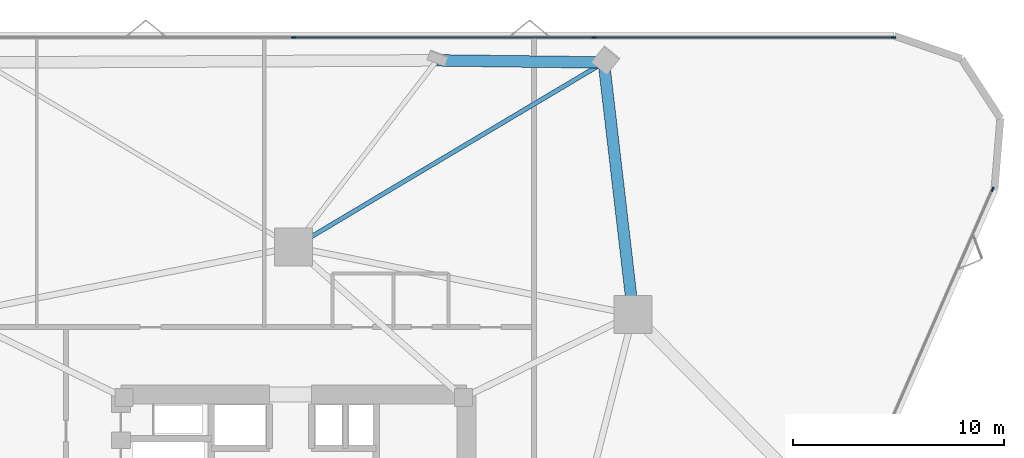
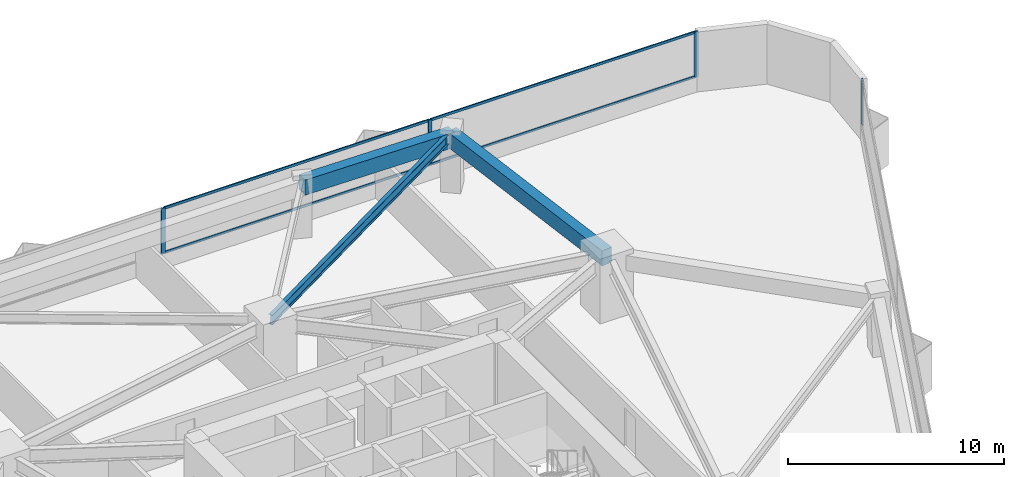
# One storey, part 8 of 14: 8 members, 3 beams, 2 elements without a shape of their own.
"""IFC4 building model written with IfcOpenShell, lengths in metres."""

from ifc_helpers import new_model, si_unit, direction, frame, origin, origin_2d, place, context, subcontext, project, spatial, rectangle, i_section, extrude, material, layer, layer_set, material_profile, profile_set, type_object, element, aggregate, save


model = new_model("IFC4")

# Units and contexts
model_context = context("Model", 3, precision=1e-05, world=origin(), true_north=direction((0.0, 1.0)))
body_context = subcontext(model_context, "Body", "Model", "MODEL_VIEW")
ifc_project = project(units=[si_unit("LENGTHUNIT", "METRE"), si_unit("AREAUNIT", "SQUARE_METRE"), si_unit("VOLUMEUNIT", "CUBIC_METRE"), si_unit("PLANEANGLEUNIT", "RADIAN"), si_unit("MASSUNIT", "GRAM", prefix="KILO")], contexts=[model_context])

# Site, building, storey
site_placement = place(None, origin())
site = spatial("IfcSite", under=ifc_project, at=site_placement, CompositionType="ELEMENT")
building_placement = place(site_placement, origin())
building = spatial("IfcBuilding", under=site, at=building_placement, Name="Talyreon Biosciences Tower", CompositionType="ELEMENT")
storey_placement = place(building_placement, frame((0.0, 0.0, 48.35009765625)))
storey = spatial("IfcBuildingStorey", under=building, at=storey_placement, Name="L12", CompositionType="ELEMENT", Elevation=48.35009765625)

# Curtain wall, members
ifc_material_1 = material(Name="Thermally broken aluminium and low-E glazing", Category="aluminium")
ifc_layer = layer(ifc_material_1, 0.205078125)
ifc_layer_set = layer_set([ifc_layer], Name="Thermally broken aluminium and low-E glazing")
curtain_wall_type = type_object("IfcCurtainWallType", Name="CurtainWall_SkyGardenLoggia", PredefinedType="NOTDEFINED", material=ifc_layer_set)
curtain_wall_1_placement = place(storey_placement, origin())
curtain_wall_1 = element("IfcCurtainWall", 1, at=curtain_wall_1_placement, inside=storey, type_object=curtain_wall_type, Name="L12 Unitised Curtain Wall FCW-L12-03", PredefinedType="NOTDEFINED")
ifc_material_2 = material(Name="Anodised thermally broken aluminium", Category="aluminium")
ifc_material_profile_1 = material_profile(ifc_material_2, rectangle(XDim=0.074951171875, YDim=0.2099609375, at=origin_2d()), Name="ALUM MULLION 75x210")
ifc_profile_set_1 = profile_set([ifc_material_profile_1], Name="Anodised thermally broken aluminium")
member_type_1 = type_object("IfcMemberType", Name="CWMullion_75x210", PredefinedType="MULLION", material=ifc_profile_set_1)
member_1_placement = place(storey_placement, frame((66.0, 91.74072265625, 0.809814453125), z_axis=(0.0, 0.0, 1.0), x_axis=(0.0, 1.0, 0.0)))
member_1 = element("IfcMember", 2, at=member_1_placement, type_object=member_type_1, Name="CW7 mullion 3", PredefinedType="MULLION", context=body_context, shape_type="SweptSolid", body=[
    extrude(rectangle(XDim=0.074951171875, YDim=0.2099609375, at=origin_2d()), origin(), (0.0, 0.0, 1.0), 2.565185546875),
])
member_2_placement = place(storey_placement, frame((80.240478515625, 91.74072265625, 0.809814453125), z_axis=(0.0, 0.0, 1.0), x_axis=(0.0, 1.0, 0.0)))
member_2 = element("IfcMember", 3, at=member_2_placement, type_object=member_type_1, Name="CW7 mullion 4", PredefinedType="MULLION", context=body_context, shape_type="SweptSolid", body=[
    extrude(rectangle(XDim=0.074951171875, YDim=0.2099609375, at=origin_2d()), origin(), (0.0, 0.0, 1.0), 2.565185546875),
])
member_3_placement = place(storey_placement, frame((94.443359375, 91.74072265625, 0.809814453125), z_axis=(0.0, 0.0, 1.0), x_axis=(0.0, 1.0, 0.0)))
member_3 = element("IfcMember", 4, at=member_3_placement, type_object=member_type_1, Name="CW7 mullion 5", PredefinedType="MULLION", context=body_context, shape_type="SweptSolid", body=[
    extrude(rectangle(XDim=0.074951171875, YDim=0.2099609375, at=origin_2d()), origin(), (0.0, 0.0, 1.0), 2.565185546875),
])

# Curtain wall, member
curtain_wall_2_placement = place(storey_placement, origin())
curtain_wall_2 = element("IfcCurtainWall", 5, at=curtain_wall_2_placement, inside=storey, type_object=curtain_wall_type, Name="L12 Unitised Curtain Wall FCW-L12-07", PredefinedType="NOTDEFINED")
member_4_placement = place(storey_placement, frame((99.15576171875, 84.53271484375, 0.809814453125), z_axis=(0.0, 0.0, 1.0), x_axis=(0.91603505667, -0.401098211105, 0.0)))
member_4 = element("IfcMember", 6, at=member_4_placement, type_object=member_type_1, Name="CW7 mullion 1", PredefinedType="MULLION", context=body_context, shape_type="SweptSolid", body=[
    extrude(rectangle(XDim=0.074951171875, YDim=0.2099609375, at=origin_2d()), origin(), (0.0, 0.0, 1.0), 2.565185546875),
])
aggregate(curtain_wall_2, [member_4])

# Member
ifc_material_profile_2 = material_profile(ifc_material_2, rectangle(XDim=0.06494140625, YDim=0.139892578125, at=origin_2d()), Name="ALUM TRANSOM 65x140")
ifc_profile_set_2 = profile_set([ifc_material_profile_2], Name="Anodised thermally broken aluminium")
member_type_2 = type_object("IfcMemberType", Name="CWTransom_65x140", PredefinedType="USERDEFINED", material=ifc_profile_set_2)
member_5_placement = place(storey_placement, frame((66.03759765625, 91.74072265625, 0.84228515625), z_axis=(1.0, 0.0, 0.0), x_axis=(0.0, 1.0, 0.0)))
member_5 = element("IfcMember", 7, at=member_5_placement, type_object=member_type_2, Name="CW7 transom 3.1", ObjectType="TRANSOM", PredefinedType="USERDEFINED", context=body_context, shape_type="SweptSolid", body=[
    extrude(rectangle(XDim=0.06494140625, YDim=0.139892578125, at=origin_2d()), origin(), (0.0, 0.0, 1.0), 14.165283203125),
])

member_6_placement = place(storey_placement, frame((66.03759765625, 91.74072265625, 3.34228515625), z_axis=(1.0, 0.0, 0.0), x_axis=(0.0, 1.0, 0.0)))
member_6 = element("IfcMember", 8, at=member_6_placement, type_object=member_type_2, Name="CW7 transom 3.2", ObjectType="TRANSOM", PredefinedType="USERDEFINED", context=body_context, shape_type="SweptSolid", body=[
    extrude(rectangle(XDim=0.06494140625, YDim=0.139892578125, at=origin_2d()), origin(), (0.0, 0.0, 1.0), 14.165283203125),
])

member_7_placement = place(storey_placement, frame((80.27783203125, 91.74072265625, 0.84228515625), z_axis=(1.0, 0.0, 0.0), x_axis=(0.0, 1.0, 0.0)))
member_7 = element("IfcMember", 9, at=member_7_placement, type_object=member_type_2, Name="CW7 transom 4.1", ObjectType="TRANSOM", PredefinedType="USERDEFINED", context=body_context, shape_type="SweptSolid", body=[
    extrude(rectangle(XDim=0.06494140625, YDim=0.139892578125, at=origin_2d()), origin(), (0.0, 0.0, 1.0), 14.1279296875),
])

member_8_placement = place(storey_placement, frame((80.27783203125, 91.74072265625, 3.34228515625), z_axis=(1.0, 0.0, 0.0), x_axis=(0.0, 1.0, 0.0)))
member_8 = element("IfcMember", 10, at=member_8_placement, type_object=member_type_2, Name="CW7 transom 4.2", ObjectType="TRANSOM", PredefinedType="USERDEFINED", context=body_context, shape_type="SweptSolid", body=[
    extrude(rectangle(XDim=0.06494140625, YDim=0.139892578125, at=origin_2d()), origin(), (0.0, 0.0, 1.0), 14.1279296875),
])

aggregate(curtain_wall_1, [member_1, member_2, member_3, member_5, member_6, member_7, member_8])

# Beams
ifc_material_3 = material(Name="Precast concrete C45/55", Category="concrete")
ifc_material_profile_3 = material_profile(ifc_material_3, rectangle(XDim=0.550048828125, YDim=0.85009765625, at=origin_2d()), Name="RCB 550x850")
ifc_profile_set_3 = profile_set([ifc_material_profile_3], Name="Precast concrete C45/55")
beam_type_1 = type_object("IfcBeamType", Name="ExpressedSpandrel_550x850", PredefinedType="SPANDREL", material=ifc_profile_set_3)
beam_1_placement = place(storey_placement, frame((82.102294921875, 78.5986328125, 2.949951171875), z_axis=(-0.11557303396, 0.99329898511, 0.0), x_axis=(-0.99329898511, -0.11557303396, 0.0)))
element("IfcBeam", 11, at=beam_1_placement, inside=storey, type_object=beam_type_1, Name="L12 Expressed Horizontal Concrete Spandrel 05", PredefinedType="SPANDREL", context=body_context, shape_type="SweptSolid", body=[
    extrude(rectangle(XDim=0.550048828125, YDim=0.85009765625, at=origin_2d()), origin(), (0.0, 0.0, 1.0), 12.0302734375),
])
beam_2_placement = place(storey_placement, frame((80.7119140625, 90.54833984375, 2.949951171875), z_axis=(-0.999920175425, 0.012634982338, 0.0), x_axis=(-0.012634982338, -0.999920175425, 0.0)))
element("IfcBeam", 12, at=beam_2_placement, inside=storey, type_object=beam_type_1, Name="L12 Expressed Horizontal Concrete Spandrel 06", PredefinedType="SPANDREL", context=body_context, shape_type="SweptSolid", body=[
    extrude(rectangle(XDim=0.550048828125, YDim=0.85009765625, at=origin_2d()), origin(), (0.0, 0.0, 1.0), 7.92236328125),
])
ifc_material_4 = material(Name="Steel SM355", Category="steel")
ifc_material_profile_4 = material_profile(ifc_material_4, i_section(OverallWidth=0.2099609375, OverallDepth=0.550048828125, WebThickness=0.010986328125, FlangeThickness=0.01708984375, FilletRadius=0.02392578125, at=origin_2d()), Name="IPE550")
ifc_profile_set_4 = profile_set([ifc_material_profile_4], Name="Steel SM355")
beam_type_2 = type_object("IfcBeamType", Name="SteelJoist_IPE550", PredefinedType="JOIST", material=ifc_profile_set_4)
beam_3_placement = place(storey_placement, frame((66.0, 81.788818359375, 3.099853515625), z_axis=(0.859230507309, 0.511588638761, 0.0), x_axis=(-0.511588638761, 0.859230507309, 0.0)))
element("IfcBeam", 13, at=beam_3_placement, inside=storey, type_object=beam_type_2, Name="L12 Radial Composite Floor Joist PC-N1", PredefinedType="JOIST", context=body_context, shape_type="SweptSolid", body=[
    extrude(i_section(OverallWidth=0.2099609375, OverallDepth=0.550048828125, WebThickness=0.010986328125, FlangeThickness=0.01708984375, FilletRadius=0.02392578125, at=origin_2d()), origin(), (0.0, 0.0, 1.0), 17.122314453125),
])

save(model, "model.ifc")
